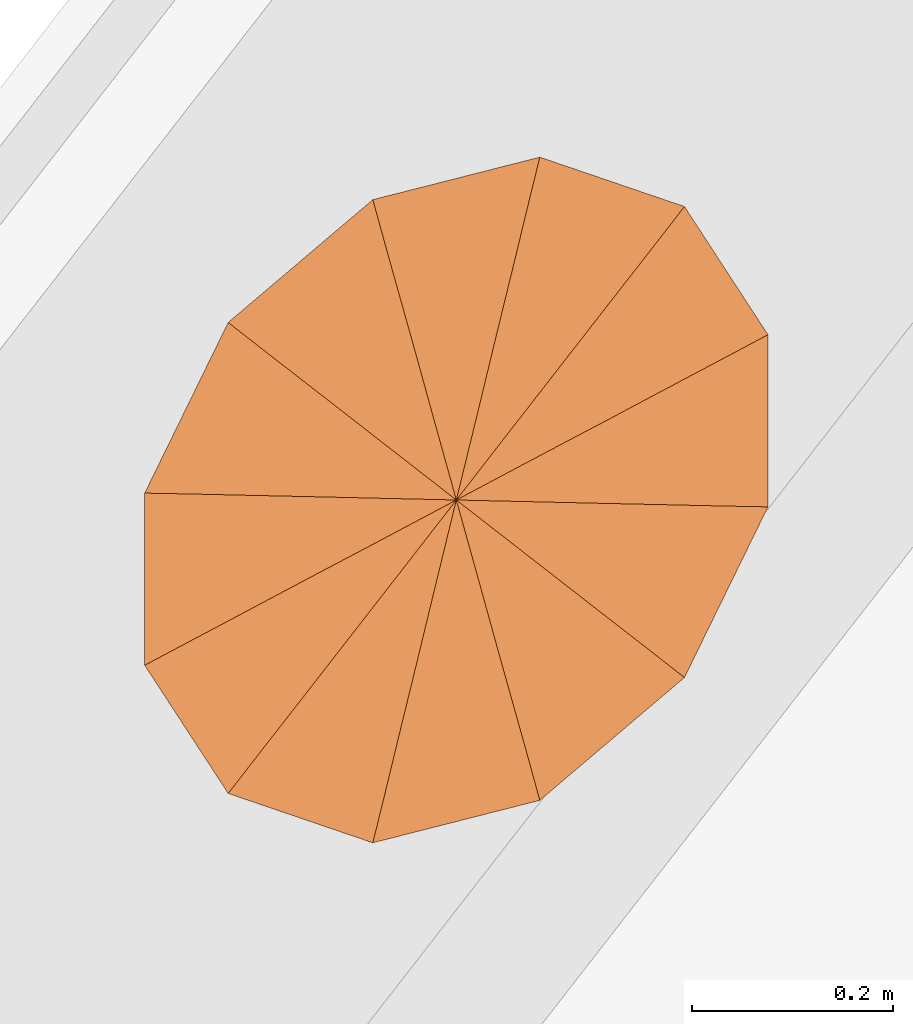
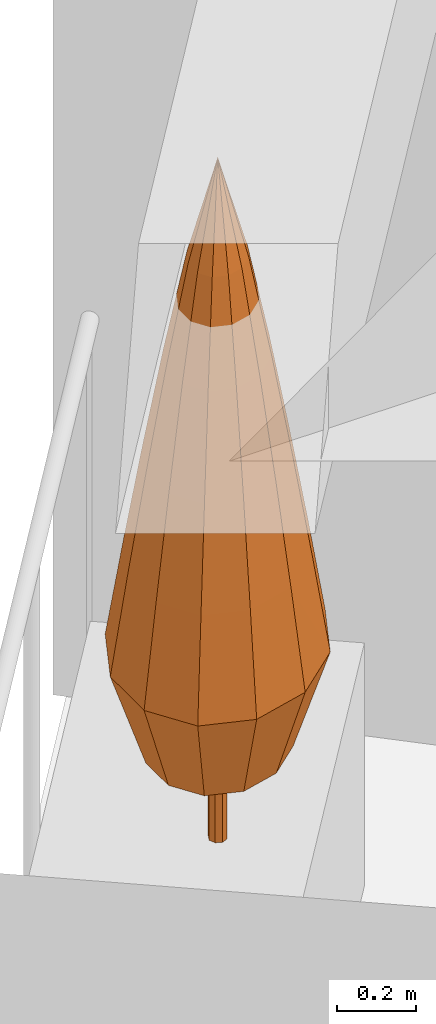
# One storey, part 12 of 12: 1 geographic element.
"""IFC4 building model written with IfcOpenShell, lengths in metres."""

import ifcopenshell
import ifcopenshell.guid

model = None  # the IFC model being written
_history = None  # IfcOwnerHistory: only IFC2X3 demands one
_inside = {}  # id of a spatial element -> (the spatial element, [elements in it])
_under = {}  # id of a project, library or spatial element -> (it, [spatial elements below it])
_declared = {}  # id of a project -> (the project, [libraries it declares])
_typed = {}  # id of a type object -> (the type object, [elements of that type])
_made_of = {}  # id of a material, layer set ... -> (it, [elements and type objects made of it])


def new_model(schema):
    """Start an empty IFC model of exactly this schema.

    Asked for "IFC4X3", IfcOpenShell would pick the latest addendum, in which some entities
    have other attributes; the version numbers below select the first issue.
    IFC2X3 requires an IfcOwnerHistory on every rooted entity: one is made here for all.
    """
    global model, _history
    if schema == "IFC4X3":
        model = ifcopenshell.file(schema_version=(4, 3, 0, 0))
    else:
        model = ifcopenshell.file(schema=schema)
    _inside.clear()
    _under.clear()
    _declared.clear()
    _typed.clear()
    _made_of.clear()
    _history = None
    if model.schema == "IFC2X3":
        org = make("IfcOrganization", Name="unknown")
        user = make(
            "IfcPersonAndOrganization",
            ThePerson=make("IfcPerson", FamilyName="unknown"),
            TheOrganization=org,
        )
        app = make(
            "IfcApplication",
            ApplicationDeveloper=org,
            Version="unknown",
            ApplicationFullName="unknown",
            ApplicationIdentifier="unknown",
        )
        _history = make(
            "IfcOwnerHistory",
            OwningUser=user,
            OwningApplication=app,
            ChangeAction="ADDED",
            CreationDate=0,
        )
    return model


def make(cls, **values):
    """One entity of the class cls with the attributes given. An attribute that is None is left unset."""
    return model.create_entity(
        cls, **{name: value for name, value in values.items() if value is not None}
    )


def rooted(cls, **values):
    """An entity with a GlobalId (a new one), such as an element, a storey or a relation."""
    return make(cls, GlobalId=ifcopenshell.guid.new(), OwnerHistory=_history, **values)


def si_unit(unit_type, name, prefix=None):
    """IfcSIUnit, for example si_unit("LENGTHUNIT", "METRE", prefix="MILLI")."""
    return make("IfcSIUnit", UnitType=unit_type, Prefix=prefix, Name=name)


def assignment(units):
    """IfcUnitAssignment: the units of a project."""
    return None if units is None else make("IfcUnitAssignment", Units=units)


def point(xyz):
    """IfcCartesianPoint."""
    return None if xyz is None else make("IfcCartesianPoint", Coordinates=xyz)


def direction(xyz):
    """IfcDirection."""
    return None if xyz is None else make("IfcDirection", DirectionRatios=xyz)


def frame(location, z_axis=None, x_axis=None):
    """IfcAxis2Placement3D, a coordinate frame: its origin and axes. An axis left out is left unset."""
    return make(
        "IfcAxis2Placement3D",
        Location=point(location),
        Axis=direction(z_axis),
        RefDirection=direction(x_axis),
    )


def origin():
    """The frame at (0, 0, 0) with its axes left unset."""
    return frame((0.0, 0.0, 0.0))


def place(relative_to, where):
    """IfcLocalPlacement: puts the frame where relative to a parent placement (None: the world)."""
    return make(
        "IfcLocalPlacement", PlacementRelTo=relative_to, RelativePlacement=where
    )


def context(
    kind, dimensions, precision=None, world=None, true_north=None, identifier=None
):
    """IfcGeometricRepresentationContext, for example the 3D "Model" context."""
    return make(
        "IfcGeometricRepresentationContext",
        ContextIdentifier=identifier,
        ContextType=kind,
        CoordinateSpaceDimension=dimensions,
        Precision=precision,
        WorldCoordinateSystem=world,
        TrueNorth=true_north,
    )


def subcontext(parent, identifier, kind, view, scale=None):
    """IfcGeometricRepresentationSubContext, for example "Body" below "Model"."""
    return make(
        "IfcGeometricRepresentationSubContext",
        ContextIdentifier=identifier,
        ContextType=kind,
        ParentContext=parent,
        TargetScale=scale,
        TargetView=view,
    )


def project(units=None, contexts=None):
    """IfcProject with its units and contexts."""
    return rooted(
        "IfcProject",
        Name="project",
        RepresentationContexts=contexts,
        UnitsInContext=assignment(units),
    )


def spatial(cls, under=None, at=None, **own):
    """A site, building, storey or space (cls), placed at a placement, below another one or the project."""
    s = rooted(cls, ObjectPlacement=at, **own)
    if under is not None:
        _under.setdefault(under.id(), (under, []))[1].append(s)
    return s


def faces_of(points, faces, orient=None, outer=None):
    """IfcFace entities. A face is a list of loops; a loop is a list of indices into points, from 0.

    orient and outer hold one flag for each loop. By default every Orientation is true, the
    first loop of a face is its IfcFaceOuterBound and the others are IfcFaceBound.
    """
    made = []
    for i, loops in enumerate(faces):
        bounds = []
        for j, loop in enumerate(loops):
            is_outer = j == 0 if outer is None else outer[i][j]
            bounds.append(
                make(
                    "IfcFaceOuterBound" if is_outer else "IfcFaceBound",
                    Bound=make("IfcPolyLoop", Polygon=[points[k] for k in loop]),
                    Orientation=True if orient is None else orient[i][j],
                )
            )
        made.append(make("IfcFace", Bounds=bounds))
    return made


def faceted_brep(points, faces, orient=None, outer=None, voids=None):
    """IfcFacetedBrep: a solid bounded by flat faces; with voids (closed shells), ...WithVoids."""
    shared = [point(p) for p in points]
    hull = make("IfcClosedShell", CfsFaces=faces_of(shared, faces, orient, outer))
    if voids is None:
        return make("IfcFacetedBrep", Outer=hull)
    return make(
        "IfcFacetedBrepWithVoids",
        Outer=hull,
        Voids=[
            make(cls, CfsFaces=faces_of(shared, fs, o, b)) for cls, fs, o, b in voids
        ],
    )


def shape(context_of_items, identifier, shape_type, items):
    """IfcShapeRepresentation: the items that make up one representation, for example the "Body"."""
    return make(
        "IfcShapeRepresentation",
        ContextOfItems=context_of_items,
        RepresentationIdentifier=identifier,
        RepresentationType=shape_type,
        Items=items,
    )


def material(Name=None, Category=None):
    """IfcMaterial."""
    return make("IfcMaterial", Name=Name, Category=Category)


def constituent(of_material, Name=None, Category=None, fraction=None):
    """IfcMaterialConstituent: one of the materials an element consists of."""
    return make(
        "IfcMaterialConstituent",
        Name=Name,
        Material=of_material,
        Fraction=fraction,
        Category=Category,
    )


def constituent_set(constituents=None, Name=None):
    """IfcMaterialConstituentSet."""
    return make(
        "IfcMaterialConstituentSet", Name=Name, MaterialConstituents=constituents
    )


def made_of(thing, what):
    """Note that an element or type object is made of a material, layer set ...; save() writes the relation."""
    if what is not None:
        _made_of.setdefault(what.id(), (what, []))[1].append(thing)
    return thing


def type_object(cls, material=None, **own):
    """A type object (cls), such as IfcWallType, which elements share."""
    return made_of(rooted(cls, **own), material)


def element(
    cls,
    number,
    at=None,
    inside=None,
    cuts=None,
    type_object=None,
    material=None,
    context=None,
    identifier="Body",
    shape_type=None,
    held_by="IfcProductDefinitionShape",
    body=None,
    shapes=None,
    **own,
):
    """One element of the class cls, such as IfcWall. Its Tag is "e" and its number.

    at: its placement. inside: the storey or other place that contains it. cuts: it is an
    opening in that element (IfcRelVoidsElement). A single representation is given by context,
    identifier, shape_type and body (its items); several are given by shapes. held_by: the class
    of the entity that holds the representations. save() writes the other relations.
    """
    e = rooted(cls, Tag="e%d" % number, ObjectPlacement=at, **own)
    if body is not None:
        shapes = [shape(context, identifier, shape_type, body)]
    if shapes is not None:
        e.Representation = make(held_by, Representations=shapes)
    if inside is not None:
        _inside.setdefault(inside.id(), (inside, []))[1].append(e)
    if cuts is not None:
        rooted(
            "IfcRelVoidsElement", RelatingBuildingElement=cuts, RelatedOpeningElement=e
        )
    if type_object is not None:
        _typed.setdefault(type_object.id(), (type_object, []))[1].append(e)
    return made_of(e, material)


def aggregate(whole, parts):
    """IfcRelAggregates: a whole, such as a stair, and the parts it consists of."""
    return rooted("IfcRelAggregates", RelatingObject=whole, RelatedObjects=parts)


def save(model, path):
    """Write the relations noted so far, then the file.

    IfcRelAggregates (storeys below a building ...), IfcRelContainedInSpatialStructure (elements
    in a storey), IfcRelDefinesByType, IfcRelAssociatesMaterial and IfcRelDeclares: one each for
    every whole, place, type object, material and project.
    """
    for whole, parts in _under.values():
        aggregate(whole, parts)
    for where, things in _inside.values():
        rooted(
            "IfcRelContainedInSpatialStructure",
            RelatedElements=things,
            RelatingStructure=where,
        )
    for kind, things in _typed.values():
        rooted("IfcRelDefinesByType", RelatedObjects=things, RelatingType=kind)
    for what, things in _made_of.values():
        rooted("IfcRelAssociatesMaterial", RelatedObjects=things, RelatingMaterial=what)
    for by, libraries in _declared.values():
        rooted("IfcRelDeclares", RelatingContext=by, RelatedDefinitions=libraries)
    model.write(path)


model = new_model("IFC4")

# Units and contexts
model_context = context("Model", 3, precision=1e-05, world=origin(), true_north=direction((0.0, 1.0)))
body_context = subcontext(model_context, "Body", "Model", "MODEL_VIEW")
ifc_project = project(units=[si_unit("LENGTHUNIT", "METRE"), si_unit("AREAUNIT", "SQUARE_METRE"), si_unit("VOLUMEUNIT", "CUBIC_METRE"), si_unit("PLANEANGLEUNIT", "RADIAN"), si_unit("MASSUNIT", "GRAM", prefix="KILO")], contexts=[model_context])

# Site, building, storey
site_placement = place(None, origin())
site = spatial("IfcSite", under=ifc_project, at=site_placement, CompositionType="ELEMENT")
building_placement = place(site_placement, origin())
building = spatial("IfcBuilding", under=site, at=building_placement, Name="Taillehof Tower", CompositionType="ELEMENT")
storey_placement = place(building_placement, frame((0.0, 0.0, 249.800048828125)))
storey = spatial("IfcBuildingStorey", under=building, at=storey_placement, Name="L71", CompositionType="ELEMENT", Elevation=249.800048828125)

# Geographic element
ifc_material_1 = material(Name="Tree bark", Category="timber")
ifc_constituent_1 = constituent(ifc_material_1, Name="Trunk", Category="timber")
ifc_material_2 = material(Name="Tree foliage")
ifc_constituent_2 = constituent(ifc_material_2, Name="Crown")
ifc_constituent_set = constituent_set(constituents=[ifc_constituent_1, ifc_constituent_2], Name="Tree TR5 Columnar juniper")
geographic_element_type = type_object("IfcGeographicElementType", Name="Tree TR5 Columnar juniper", PredefinedType="USERDEFINED", material=ifc_constituent_set)
geographic_element_placement = place(storey_placement, frame((-19.834716796875, 12.753662109375, 0.75)))
element("IfcGeographicElement", 1, at=geographic_element_placement, inside=storey, type_object=geographic_element_type, Name="Tree TR5 Columnar juniper", ObjectType="TREE", PredefinedType="USERDEFINED", context=body_context, shape_type="Brep", body=[
    faceted_brep([(0.02490234375, 0.0, 0.0), (0.017578125, 0.017578125, 0.0), (0.017578125, 0.017578125, 0.929931640625), (0.02490234375, 0.0, 0.929931640625), (0.0, 0.02490234375, 0.0), (0.0, 0.02490234375, 0.929931640625), (-0.017578125, 0.017578125, 0.0), (-0.017578125, 0.017578125, 0.929931640625), (-0.02490234375, 0.0, 0.0), (-0.02490234375, 0.0, 0.929931640625), (-0.017578125, -0.017578125, 0.0), (-0.017578125, -0.017578125, 0.929931640625), (0.0, -0.02490234375, 0.0), (0.0, -0.02490234375, 0.929931640625), (0.017578125, -0.017578125, 0.0), (0.017578125, -0.017578125, 0.929931640625)], [[[0, 1, 2, 3]], [[1, 4, 5, 2]], [[4, 6, 7, 5]], [[6, 8, 9, 7]], [[8, 10, 11, 9]], [[10, 12, 13, 11]], [[12, 14, 15, 13]], [[14, 0, 3, 15]], [[14, 12, 10, 8, 6, 4, 1, 0]], [[3, 2, 5, 7, 9, 11, 13, 15]]]),
    faceted_brep([(-0.15185546875, -0.1953125, 0.300048828125), (-0.0556640625, -0.228271484375, 0.300048828125), (-0.0830078125, -0.3408203125, 0.60009765625), (-0.226806640625, -0.291748046875, 0.60009765625), (0.0556640625, -0.199951171875, 0.300048828125), (0.0830078125, -0.298583984375, 0.60009765625), (0.15185546875, -0.1181640625, 0.300048828125), (0.226806640625, -0.176513671875, 0.60009765625), (0.20751953125, -0.004638671875, 0.300048828125), (0.309814453125, -0.0068359375, 0.60009765625), (0.20751953125, 0.110107421875, 0.300048828125), (0.309814453125, 0.164306640625, 0.60009765625), (0.15185546875, 0.1953125, 0.300048828125), (0.226806640625, 0.291748046875, 0.60009765625), (0.0556640625, 0.228271484375, 0.300048828125), (0.0830078125, 0.3408203125, 0.60009765625), (-0.0556640625, 0.199951171875, 0.300048828125), (-0.0830078125, 0.298583984375, 0.60009765625), (-0.15185546875, 0.1181640625, 0.300048828125), (-0.226806640625, 0.176513671875, 0.60009765625), (-0.20751953125, 0.004638671875, 0.300048828125), (-0.309814453125, 0.0068359375, 0.60009765625), (-0.20751953125, -0.110107421875, 0.300048828125), (-0.309814453125, -0.164306640625, 0.60009765625), (-0.0693359375, -0.28515625, 0.89990234375), (-0.189697265625, -0.243896484375, 0.89990234375), (0.069580078125, -0.249755859375, 0.89990234375), (0.189697265625, -0.1474609375, 0.89990234375), (0.25927734375, -0.005859375, 0.89990234375), (0.25927734375, 0.137451171875, 0.89990234375), (0.189697265625, 0.243896484375, 0.89990234375), (0.0693359375, 0.28515625, 0.89990234375), (-0.069580078125, 0.249755859375, 0.89990234375), (-0.189697265625, 0.1474609375, 0.89990234375), (-0.25927734375, 0.005859375, 0.89990234375), (-0.25927734375, -0.137451171875, 0.89990234375), (-0.05517578125, -0.2265625, 1.199951171875), (-0.150634765625, -0.19384765625, 1.199951171875), (0.05517578125, -0.198486328125, 1.199951171875), (0.150634765625, -0.1171875, 1.199951171875), (0.205810546875, -0.004638671875, 1.199951171875), (0.205810546875, 0.109130859375, 1.199951171875), (0.150634765625, 0.19384765625, 1.199951171875), (0.05517578125, 0.2265625, 1.199951171875), (-0.05517578125, 0.198486328125, 1.199951171875), (-0.150634765625, 0.1171875, 1.199951171875), (-0.205810546875, 0.004638671875, 1.199951171875), (-0.205810546875, -0.109130859375, 1.199951171875), (-0.039794921875, -0.163818359375, 1.5), (-0.10888671875, -0.14013671875, 1.5), (0.039794921875, -0.1435546875, 1.5), (0.10888671875, -0.084716796875, 1.5), (0.14892578125, -0.00341796875, 1.5), (0.14892578125, 0.078857421875, 1.5), (0.10888671875, 0.14013671875, 1.5), (0.039794921875, 0.163818359375, 1.5), (-0.039794921875, 0.1435546875, 1.5), (-0.10888671875, 0.084716796875, 1.5), (-0.14892578125, 0.00341796875, 1.5), (-0.14892578125, -0.078857421875, 1.5), (-0.02294921875, -0.093994140625, 1.800048828125), (-0.0625, -0.08056640625, 1.800048828125), (0.02294921875, -0.08251953125, 1.800048828125), (0.0625, -0.048583984375, 1.800048828125), (0.08544921875, -0.001953125, 1.800048828125), (0.08544921875, 0.04541015625, 1.800048828125), (0.0625, 0.08056640625, 1.800048828125), (0.02294921875, 0.093994140625, 1.800048828125), (-0.02294921875, 0.08251953125, 1.800048828125), (-0.0625, 0.048583984375, 1.800048828125), (-0.08544921875, 0.001953125, 1.800048828125), (-0.08544921875, -0.04541015625, 1.800048828125), (0.0, 0.0, 2.10009765625)], [[[0, 1, 2, 3]], [[1, 4, 5, 2]], [[4, 6, 7, 5]], [[6, 8, 9, 7]], [[8, 10, 11, 9]], [[10, 12, 13, 11]], [[12, 14, 15, 13]], [[14, 16, 17, 15]], [[16, 18, 19, 17]], [[18, 20, 21, 19]], [[20, 22, 23, 21]], [[22, 0, 3, 23]], [[3, 2, 24, 25]], [[2, 5, 26, 24]], [[5, 7, 27, 26]], [[7, 9, 28, 27]], [[9, 11, 29, 28]], [[11, 13, 30, 29]], [[13, 15, 31, 30]], [[15, 17, 32, 31]], [[17, 19, 33, 32]], [[19, 21, 34, 33]], [[21, 23, 35, 34]], [[23, 3, 25, 35]], [[25, 24, 36, 37]], [[24, 26, 38, 36]], [[26, 27, 39, 38]], [[27, 28, 40, 39]], [[28, 29, 41, 40]], [[29, 30, 42, 41]], [[30, 31, 43, 42]], [[31, 32, 44, 43]], [[32, 33, 45, 44]], [[33, 34, 46, 45]], [[34, 35, 47, 46]], [[35, 25, 37, 47]], [[37, 36, 48, 49]], [[36, 38, 50, 48]], [[38, 39, 51, 50]], [[39, 40, 52, 51]], [[40, 41, 53, 52]], [[41, 42, 54, 53]], [[42, 43, 55, 54]], [[43, 44, 56, 55]], [[44, 45, 57, 56]], [[45, 46, 58, 57]], [[46, 47, 59, 58]], [[47, 37, 49, 59]], [[49, 48, 60, 61]], [[48, 50, 62, 60]], [[50, 51, 63, 62]], [[51, 52, 64, 63]], [[52, 53, 65, 64]], [[53, 54, 66, 65]], [[54, 55, 67, 66]], [[55, 56, 68, 67]], [[56, 57, 69, 68]], [[57, 58, 70, 69]], [[58, 59, 71, 70]], [[59, 49, 61, 71]], [[61, 60, 72]], [[60, 62, 72]], [[62, 63, 72]], [[63, 64, 72]], [[64, 65, 72]], [[65, 66, 72]], [[66, 67, 72]], [[67, 68, 72]], [[68, 69, 72]], [[69, 70, 72]], [[70, 71, 72]], [[71, 61, 72]], [[22, 20, 18, 16, 14, 12, 10, 8, 6, 4, 1, 0]]]),
])

save(model, "model.ifc")
